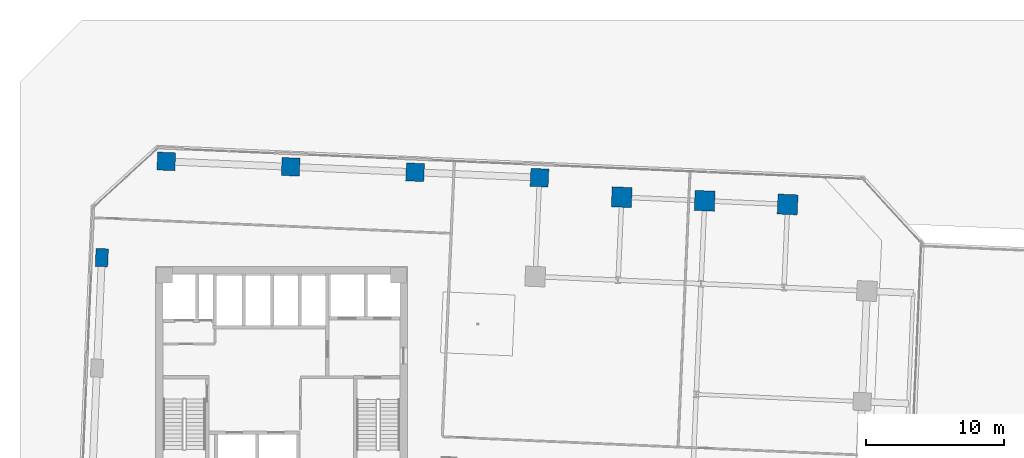
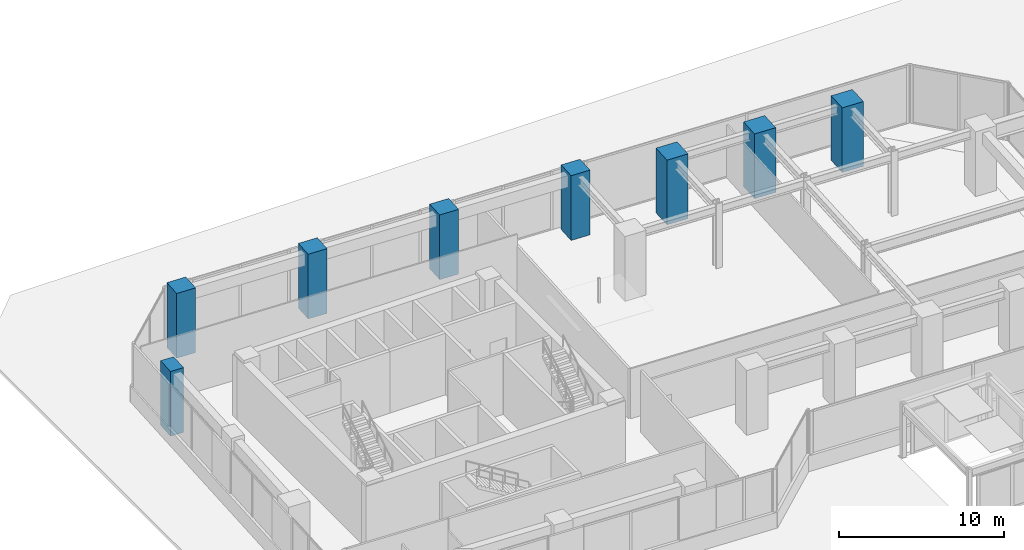
# One storey, part 3 of 33: 8 columns.
"""IFC4 building model written with IfcOpenShell, lengths in metres."""

from ifc_helpers import new_model, si_unit, direction, frame, origin, origin_2d, place, context, subcontext, project, spatial, rectangle, extrude, source, transform, mapped, material, material_profile, profile_set, type_object, element, save


model = new_model("IFC4")

# Units and contexts
model_context = context("Model", 3, precision=1e-05, world=origin(), true_north=direction((0.0, 1.0)))
body_context = subcontext(model_context, "Body", "Model", "MODEL_VIEW")
ifc_project = project(units=[si_unit("LENGTHUNIT", "METRE"), si_unit("AREAUNIT", "SQUARE_METRE"), si_unit("VOLUMEUNIT", "CUBIC_METRE"), si_unit("PLANEANGLEUNIT", "RADIAN"), si_unit("MASSUNIT", "GRAM", prefix="KILO")], contexts=[model_context])

# Site, building, storey
site_placement = place(None, origin())
site = spatial("IfcSite", under=ifc_project, at=site_placement, CompositionType="ELEMENT")
building_placement = place(site_placement, origin())
building = spatial("IfcBuilding", under=site, at=building_placement, Name="Torre Montelarca", CompositionType="ELEMENT")
storey_placement = place(building_placement, frame((0.0, 0.0, 32.800048828125)))
storey = spatial("IfcBuildingStorey", under=building, at=storey_placement, Name="L07", CompositionType="ELEMENT", Elevation=32.800048828125)

# Columns
ifc_material_1 = material(Name="Concrete C55/67", Category="concrete")
ifc_material_profile_1 = material_profile(ifc_material_1, rectangle(XDim=0.89990234375, YDim=1.300048828125, at=origin_2d()), Name="RC1300X900", Category="concrete")
ifc_profile_set_1 = profile_set([ifc_material_profile_1], Name="Concrete C55/67")
column_type_1 = type_object("IfcColumnType", Name="COL-PIL1300-EXT", PredefinedType="PILASTER", material=ifc_profile_set_1)
shared_shape_1 = source(origin(), body_context, "Body", "SweptSolid", [
    extrude(rectangle(XDim=0.89990234375, YDim=1.300048828125, at=origin_2d()), origin(), (0.0, 0.0, 1.0), 4.798583984375),
])
column_placement = place(storey_placement, frame((5.014892578125, 40.727294921875, 0.000732421875), z_axis=(0.0, 0.0, 1.0), x_axis=(-0.999048221582, 0.043619387365, 0.0)))
element("IfcColumn", 1, at=column_placement, inside=storey, type_object=column_type_1, Name="L07 Column 1W/F", PredefinedType="PILASTER", context=body_context, shape_type="MappedRepresentation", body=[
    mapped(shared_shape_1, transform((0.0, 0.0, 0.0), scale=1.0)),
])
ifc_material_2 = material(Name="Concrete C70/85", Category="concrete")
ifc_material_profile_2 = material_profile(ifc_material_2, rectangle(XDim=1.449951171875, YDim=1.449951171875, at=origin_2d()), Name="RC1450X1450", Category="concrete")
ifc_profile_set_2 = profile_set([ifc_material_profile_2], Name="Concrete C70/85")
column_type_2 = type_object("IfcColumnType", Name="COL-RC1450", PredefinedType="COLUMN", material=ifc_profile_set_2)
shared_shape_2 = source(origin(), body_context, "Body", "SweptSolid", [
    extrude(rectangle(XDim=1.449951171875, YDim=1.449951171875, at=origin_2d()), origin(), (0.0, 0.0, 1.0), 4.798583984375),
])
for number, where, z_axis, x_axis, name in (
    (2, (42.59130859375, 45.092529296875, 0.000732421875), (0.0, 0.0, 1.0), (-0.999048221582, 0.043619387365, 0.0), "L07 Column 6/G"),
    (3, (48.58544921875, 44.830810546875, 0.000732421875), (0.0, 0.0, 1.0), (-0.999048221582, 0.043619387365, 0.0), "L07 Column 7/G"),
    (4, (54.57958984375, 44.569091796875, 0.000732421875), (0.0, 0.0, 1.0), (-0.999048221582, 0.043619387365, 0.0), "L07 Column 8/G"),
):
    element("IfcColumn", number, at=place(storey_placement, frame(where, z_axis=z_axis, x_axis=x_axis)), inside=storey, type_object=column_type_2, Name=name, PredefinedType="COLUMN", context=body_context, shape_type="MappedRepresentation", body=[
        mapped(shared_shape_2, transform((0.0, 0.0, 0.0), scale=1.0)),
    ])
ifc_material_profile_3 = material_profile(ifc_material_2, rectangle(XDim=1.300048828125, YDim=1.300048828125, at=origin_2d()), Name="RC1300X1300", Category="concrete")
ifc_profile_set_3 = profile_set([ifc_material_profile_3], Name="Concrete C70/85")
column_type_3 = type_object("IfcColumnType", Name="COL-RC1300-EXT", PredefinedType="COLUMN", material=ifc_profile_set_3)
shared_shape_3 = source(origin(), body_context, "Body", "SweptSolid", [
    extrude(rectangle(XDim=1.300048828125, YDim=1.300048828125, at=origin_2d()), origin(), (0.0, 0.0, 1.0), 4.798583984375),
])
for number, where, z_axis, x_axis, name in (
    (5, (9.672607421875, 47.680908203125, 0.000732421875), (0.0, 0.0, 1.0), (-0.999048221582, 0.043619387365, 0.0), "L07 Column 2/GN"),
    (6, (18.664306640625, 47.2880859375, 0.000732421875), (0.0, 0.0, 1.0), (-0.999048221582, 0.043619387365, 0.0), "L07 Column 3/GN"),
    (7, (27.655517578125, 46.895751953125, 0.000732421875), (0.0, 0.0, 1.0), (-0.999048221582, 0.043619387365, 0.0), "L07 Column 4/GN"),
    (8, (36.64697265625, 46.503173828125, 0.000732421875), (0.0, 0.0, 1.0), (-0.999048221582, 0.043619387365, 0.0), "L07 Column 5/GN"),
):
    element("IfcColumn", number, at=place(storey_placement, frame(where, z_axis=z_axis, x_axis=x_axis)), inside=storey, type_object=column_type_3, Name=name, PredefinedType="COLUMN", context=body_context, shape_type="MappedRepresentation", body=[
        mapped(shared_shape_3, transform((0.0, 0.0, 0.0), scale=1.0)),
    ])

save(model, "model.ifc")
